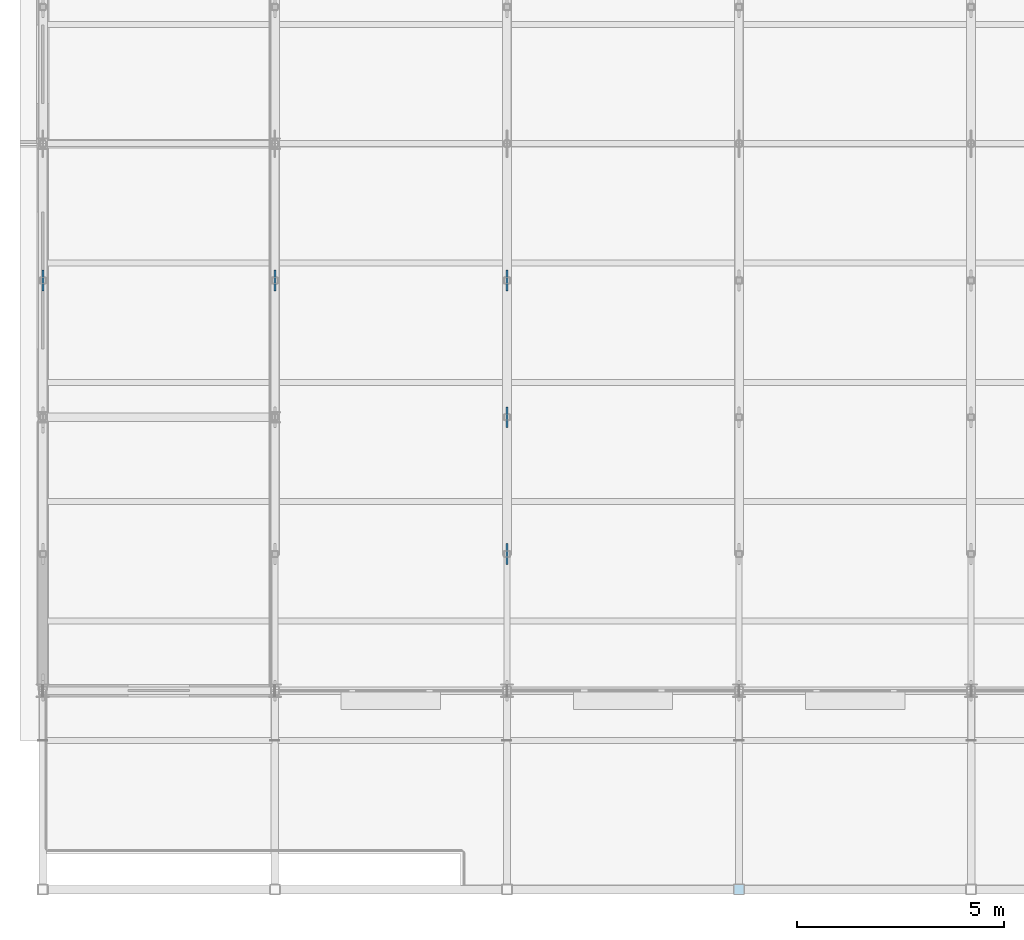
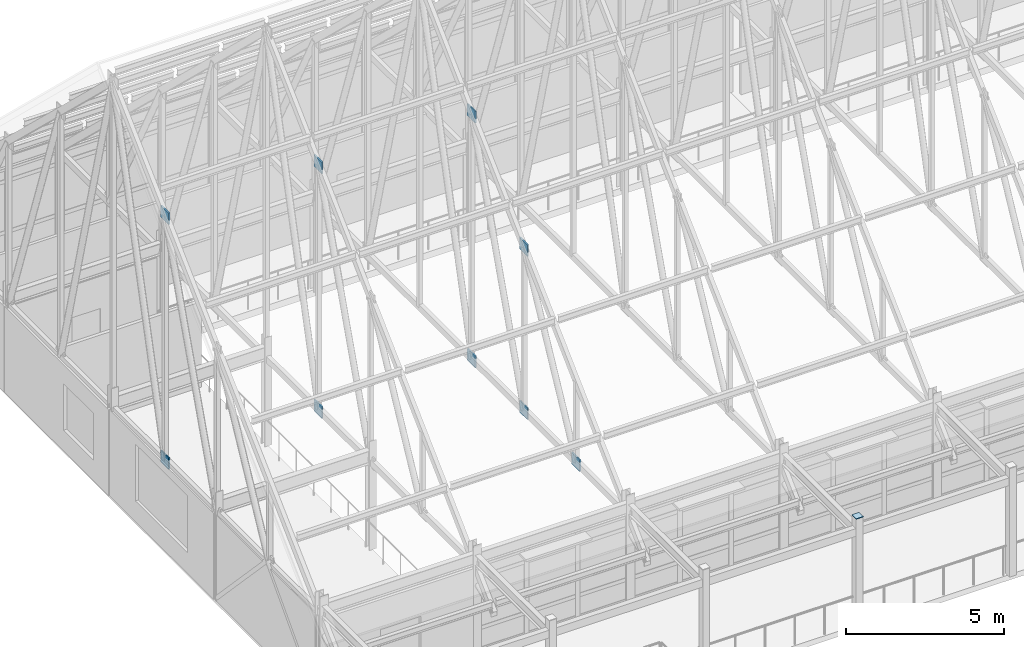
# One storey, part 102 of 144: 10 plates.
"""IFC4 building model written with IfcOpenShell, lengths in metres."""

import ifcopenshell
import ifcopenshell.guid

model = None  # the IFC model being written
_history = None  # IfcOwnerHistory: only IFC2X3 demands one
_inside = {}  # id of a spatial element -> (the spatial element, [elements in it])
_under = {}  # id of a project, library or spatial element -> (it, [spatial elements below it])
_declared = {}  # id of a project -> (the project, [libraries it declares])
_typed = {}  # id of a type object -> (the type object, [elements of that type])
_made_of = {}  # id of a material, layer set ... -> (it, [elements and type objects made of it])


def new_model(schema):
    """Start an empty IFC model of exactly this schema.

    Asked for "IFC4X3", IfcOpenShell would pick the latest addendum, in which some entities
    have other attributes; the version numbers below select the first issue.
    IFC2X3 requires an IfcOwnerHistory on every rooted entity: one is made here for all.
    """
    global model, _history
    if schema == "IFC4X3":
        model = ifcopenshell.file(schema_version=(4, 3, 0, 0))
    else:
        model = ifcopenshell.file(schema=schema)
    _inside.clear()
    _under.clear()
    _declared.clear()
    _typed.clear()
    _made_of.clear()
    _history = None
    if model.schema == "IFC2X3":
        org = make("IfcOrganization", Name="unknown")
        user = make(
            "IfcPersonAndOrganization",
            ThePerson=make("IfcPerson", FamilyName="unknown"),
            TheOrganization=org,
        )
        app = make(
            "IfcApplication",
            ApplicationDeveloper=org,
            Version="unknown",
            ApplicationFullName="unknown",
            ApplicationIdentifier="unknown",
        )
        _history = make(
            "IfcOwnerHistory",
            OwningUser=user,
            OwningApplication=app,
            ChangeAction="ADDED",
            CreationDate=0,
        )
    return model


def make(cls, **values):
    """One entity of the class cls with the attributes given. An attribute that is None is left unset."""
    return model.create_entity(
        cls, **{name: value for name, value in values.items() if value is not None}
    )


def rooted(cls, **values):
    """An entity with a GlobalId (a new one), such as an element, a storey or a relation."""
    return make(cls, GlobalId=ifcopenshell.guid.new(), OwnerHistory=_history, **values)


def si_unit(unit_type, name, prefix=None):
    """IfcSIUnit, for example si_unit("LENGTHUNIT", "METRE", prefix="MILLI")."""
    return make("IfcSIUnit", UnitType=unit_type, Prefix=prefix, Name=name)


def assignment(units):
    """IfcUnitAssignment: the units of a project."""
    return None if units is None else make("IfcUnitAssignment", Units=units)


def point(xyz):
    """IfcCartesianPoint."""
    return None if xyz is None else make("IfcCartesianPoint", Coordinates=xyz)


def direction(xyz):
    """IfcDirection."""
    return None if xyz is None else make("IfcDirection", DirectionRatios=xyz)


def frame(location, z_axis=None, x_axis=None):
    """IfcAxis2Placement3D, a coordinate frame: its origin and axes. An axis left out is left unset."""
    return make(
        "IfcAxis2Placement3D",
        Location=point(location),
        Axis=direction(z_axis),
        RefDirection=direction(x_axis),
    )


def frame_2d(location, x_axis=None):
    """IfcAxis2Placement2D, a coordinate frame in the plane: its origin and x axis."""
    return make(
        "IfcAxis2Placement2D", Location=point(location), RefDirection=direction(x_axis)
    )


def origin():
    """The frame at (0, 0, 0) with its axes left unset."""
    return frame((0.0, 0.0, 0.0))


def origin_2d():
    """The frame at (0, 0) in the plane with its x axis left unset."""
    return frame_2d((0.0, 0.0))


def place(relative_to, where):
    """IfcLocalPlacement: puts the frame where relative to a parent placement (None: the world)."""
    return make(
        "IfcLocalPlacement", PlacementRelTo=relative_to, RelativePlacement=where
    )


def context(
    kind, dimensions, precision=None, world=None, true_north=None, identifier=None
):
    """IfcGeometricRepresentationContext, for example the 3D "Model" context."""
    return make(
        "IfcGeometricRepresentationContext",
        ContextIdentifier=identifier,
        ContextType=kind,
        CoordinateSpaceDimension=dimensions,
        Precision=precision,
        WorldCoordinateSystem=world,
        TrueNorth=true_north,
    )


def subcontext(parent, identifier, kind, view, scale=None):
    """IfcGeometricRepresentationSubContext, for example "Body" below "Model"."""
    return make(
        "IfcGeometricRepresentationSubContext",
        ContextIdentifier=identifier,
        ContextType=kind,
        ParentContext=parent,
        TargetScale=scale,
        TargetView=view,
    )


def project(units=None, contexts=None):
    """IfcProject with its units and contexts."""
    return rooted(
        "IfcProject",
        Name="project",
        RepresentationContexts=contexts,
        UnitsInContext=assignment(units),
    )


def spatial(cls, under=None, at=None, **own):
    """A site, building, storey or space (cls), placed at a placement, below another one or the project."""
    s = rooted(cls, ObjectPlacement=at, **own)
    if under is not None:
        _under.setdefault(under.id(), (under, []))[1].append(s)
    return s


def profile(cls, at=None, kind="AREA", **sizes):
    """A parametric profile (cls). Its sizes go by their IFC names, for example OverallWidth=200.0."""
    return make(cls, ProfileType=kind, Position=at, **sizes)


def rectangle(**sizes):
    """IfcRectangleProfileDef."""
    return profile("IfcRectangleProfileDef", **sizes)


def extrude(swept, where, along, depth):
    """IfcExtrudedAreaSolid: the profile swept, set in the frame where, extruded along a direction by depth."""
    return make(
        "IfcExtrudedAreaSolid",
        SweptArea=swept,
        Position=where,
        ExtrudedDirection=direction(along),
        Depth=depth,
    )


def shape(context_of_items, identifier, shape_type, items):
    """IfcShapeRepresentation: the items that make up one representation, for example the "Body"."""
    return make(
        "IfcShapeRepresentation",
        ContextOfItems=context_of_items,
        RepresentationIdentifier=identifier,
        RepresentationType=shape_type,
        Items=items,
    )


def material(Name=None, Category=None):
    """IfcMaterial."""
    return make("IfcMaterial", Name=Name, Category=Category)


def layer(
    of_material, thickness, ventilated=None, Name=None, Category=None, Priority=None
):
    """IfcMaterialLayer: one layer of a wall or slab, of a material (None: an air gap)."""
    return make(
        "IfcMaterialLayer",
        Material=of_material,
        LayerThickness=thickness,
        IsVentilated=ventilated,
        Name=Name,
        Category=Category,
        Priority=Priority,
    )


def layer_set(layers, Name=None):
    """IfcMaterialLayerSet."""
    return make("IfcMaterialLayerSet", MaterialLayers=layers, LayerSetName=Name)


def made_of(thing, what):
    """Note that an element or type object is made of a material, layer set ...; save() writes the relation."""
    if what is not None:
        _made_of.setdefault(what.id(), (what, []))[1].append(thing)
    return thing


def type_object(cls, material=None, **own):
    """A type object (cls), such as IfcWallType, which elements share."""
    return made_of(rooted(cls, **own), material)


def element(
    cls,
    number,
    at=None,
    inside=None,
    cuts=None,
    type_object=None,
    material=None,
    context=None,
    identifier="Body",
    shape_type=None,
    held_by="IfcProductDefinitionShape",
    body=None,
    shapes=None,
    **own,
):
    """One element of the class cls, such as IfcWall. Its Tag is "e" and its number.

    at: its placement. inside: the storey or other place that contains it. cuts: it is an
    opening in that element (IfcRelVoidsElement). A single representation is given by context,
    identifier, shape_type and body (its items); several are given by shapes. held_by: the class
    of the entity that holds the representations. save() writes the other relations.
    """
    e = rooted(cls, Tag="e%d" % number, ObjectPlacement=at, **own)
    if body is not None:
        shapes = [shape(context, identifier, shape_type, body)]
    if shapes is not None:
        e.Representation = make(held_by, Representations=shapes)
    if inside is not None:
        _inside.setdefault(inside.id(), (inside, []))[1].append(e)
    if cuts is not None:
        rooted(
            "IfcRelVoidsElement", RelatingBuildingElement=cuts, RelatedOpeningElement=e
        )
    if type_object is not None:
        _typed.setdefault(type_object.id(), (type_object, []))[1].append(e)
    return made_of(e, material)


def aggregate(whole, parts):
    """IfcRelAggregates: a whole, such as a stair, and the parts it consists of."""
    return rooted("IfcRelAggregates", RelatingObject=whole, RelatedObjects=parts)


def save(model, path):
    """Write the relations noted so far, then the file.

    IfcRelAggregates (storeys below a building ...), IfcRelContainedInSpatialStructure (elements
    in a storey), IfcRelDefinesByType, IfcRelAssociatesMaterial and IfcRelDeclares: one each for
    every whole, place, type object, material and project.
    """
    for whole, parts in _under.values():
        aggregate(whole, parts)
    for where, things in _inside.values():
        rooted(
            "IfcRelContainedInSpatialStructure",
            RelatedElements=things,
            RelatingStructure=where,
        )
    for kind, things in _typed.values():
        rooted("IfcRelDefinesByType", RelatedObjects=things, RelatingType=kind)
    for what, things in _made_of.values():
        rooted("IfcRelAssociatesMaterial", RelatedObjects=things, RelatingMaterial=what)
    for by, libraries in _declared.values():
        rooted("IfcRelDeclares", RelatingContext=by, RelatedDefinitions=libraries)
    model.write(path)


model = new_model("IFC4")

# Units and contexts
model_context = context("Model", 3, precision=1e-05, world=origin(), true_north=direction((0.0, 1.0)))
body_context = subcontext(model_context, "Body", "Model", "MODEL_VIEW")
ifc_project = project(units=[si_unit("LENGTHUNIT", "METRE"), si_unit("AREAUNIT", "SQUARE_METRE"), si_unit("VOLUMEUNIT", "CUBIC_METRE"), si_unit("PLANEANGLEUNIT", "RADIAN"), si_unit("MASSUNIT", "GRAM", prefix="KILO")], contexts=[model_context])

# Site, building, storey
site_placement = place(None, origin())
site = spatial("IfcSite", under=ifc_project, at=site_placement, CompositionType="ELEMENT")
building_placement = place(site_placement, origin())
building = spatial("IfcBuilding", under=site, at=building_placement, Name="Trelmorton Wharf Fire Station", CompositionType="ELEMENT")
storey_placement = place(building_placement, frame((0.0, 0.0, 5.39990234375)))
storey = spatial("IfcBuildingStorey", under=building, at=storey_placement, Name="L01", CompositionType="ELEMENT", Elevation=5.39990234375)

# Plates
ifc_material = material(Name="Steel Grade 350", Category="steel")
ifc_layer_1 = layer(ifc_material, 0.02001953125)
ifc_layer_set_1 = layer_set([ifc_layer_1], Name="Steel Grade 350")
plate_type_1 = type_object("IfcPlateType", Name="PL_ENDCAP_20", PredefinedType="SHEET", material=ifc_layer_set_1)
plate_placement = place(storey_placement, frame((17.60009765625, 3.0, 4.1982421875), z_axis=(0.0, 0.0, 1.0), x_axis=(1.0, 0.0, 0.0)))
element("IfcPlate", 1, at=plate_placement, inside=storey, type_object=plate_type_1, Name="PL-COLCAP-T-0274", PredefinedType="SHEET", context=body_context, shape_type="SweptSolid", body=[
    extrude(rectangle(XDim=0.27001953125, YDim=0.27001953125, at=origin_2d()), origin(), (0.0, 0.0, 1.0), 0.02392578125),
])
ifc_layer_2 = layer(ifc_material, 0.050048828125)
ifc_layer_set_2 = layer_set([ifc_layer_2], Name="Steel Grade 350")
plate_type_2 = type_object("IfcPlateType", Name="PL_GUSSET_TN2", PredefinedType="USERDEFINED", material=ifc_layer_set_2)
for number, where, z_axis, x_axis, name in (
    (2, (0.800048828125, 17.699951171875, 12.5771484375), (0.0, 0.0, 1.0), (1.0, 0.0, 0.0), "PL-TN-0111"),
    (3, (0.800048828125, 17.699951171875, 3.126953125), (0.0, 0.0, 1.0), (1.0, 0.0, 0.0), "PL-TN-0112"),
    (4, (6.39990234375, 17.699951171875, 12.5771484375), (0.0, 0.0, 1.0), (1.0, 0.0, 0.0), "PL-TN-0124"),
    (5, (6.39990234375, 17.699951171875, 3.126953125), (0.0, 0.0, 1.0), (1.0, 0.0, 0.0), "PL-TN-0125"),
    (6, (12.0, 11.10009765625, 3.126953125), (0.0, 0.0, 1.0), (1.0, 0.0, 0.0), "PL-TN-0134"),
    (7, (12.0, 14.39990234375, 9.4267578125), (0.0, 0.0, 1.0), (1.0, 0.0, 0.0), "PL-TN-0135"),
    (8, (12.0, 14.39990234375, 3.126953125), (0.0, 0.0, 1.0), (1.0, 0.0, 0.0), "PL-TN-0136"),
    (9, (12.0, 17.699951171875, 12.5771484375), (0.0, 0.0, 1.0), (1.0, 0.0, 0.0), "PL-TN-0137"),
    (10, (12.0, 17.699951171875, 3.126953125), (0.0, 0.0, 1.0), (1.0, 0.0, 0.0), "PL-TN-0138"),
):
    element("IfcPlate", number, at=place(storey_placement, frame(where, z_axis=z_axis, x_axis=x_axis)), inside=storey, type_object=plate_type_2, Name=name, ObjectType="GUSSET PLATE", PredefinedType="USERDEFINED", context=body_context, shape_type="SweptSolid", body=[
        extrude(rectangle(XDim=0.050048828125, YDim=0.5, at=origin_2d()), origin(), (0.0, 0.0, 1.0), 0.449951171875),
    ])

save(model, "model.ifc")
